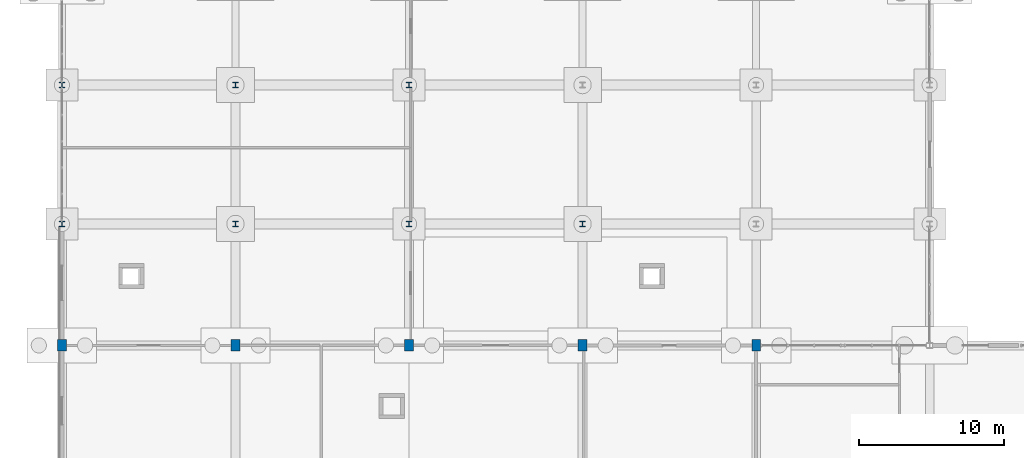
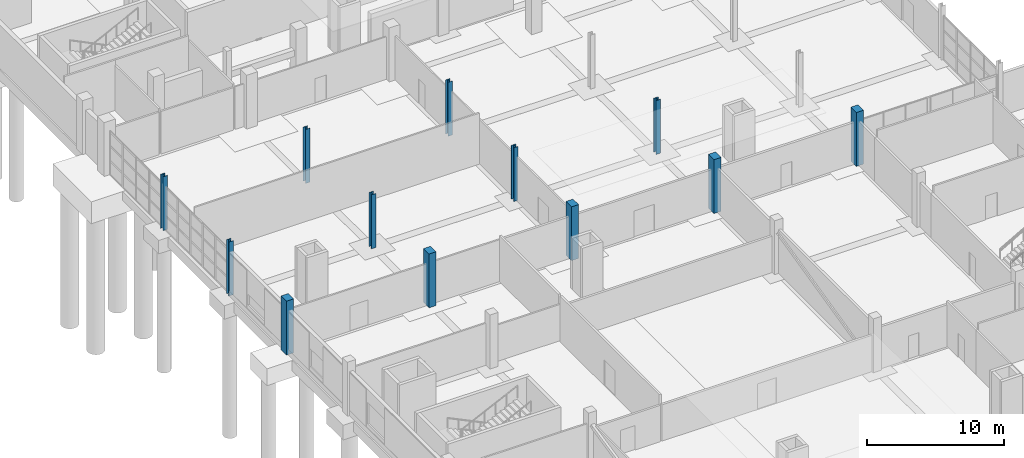
# One storey, part 8 of 82: 12 columns.
"""IFC4 building model written with IfcOpenShell, lengths in metres."""

from ifc_helpers import new_model, si_unit, direction, frame, origin, origin_2d, place, context, subcontext, project, spatial, rectangle, i_section, extrude, material, material_profile, profile_set, type_object, element, save


model = new_model("IFC4")

# Units and contexts
model_context = context("Model", 3, precision=1e-05, world=origin(), true_north=direction((0.0, 1.0)))
body_context = subcontext(model_context, "Body", "Model", "MODEL_VIEW")
ifc_project = project(units=[si_unit("LENGTHUNIT", "METRE"), si_unit("AREAUNIT", "SQUARE_METRE"), si_unit("VOLUMEUNIT", "CUBIC_METRE"), si_unit("PLANEANGLEUNIT", "RADIAN"), si_unit("MASSUNIT", "GRAM", prefix="KILO")], contexts=[model_context])

# Site, building, storey
site_placement = place(None, origin())
site = spatial("IfcSite", under=ifc_project, at=site_placement, CompositionType="ELEMENT")
building_placement = place(site_placement, origin())
building = spatial("IfcBuilding", under=site, at=building_placement, Name="Kelmvaro Bay Concert Hall", CompositionType="ELEMENT")
storey_placement = place(building_placement, origin())
storey = spatial("IfcBuildingStorey", under=building, at=storey_placement, Name="L00", CompositionType="ELEMENT", Elevation=0.0)

# Columns
ifc_material_1 = material(Name="Steel ASTM A992 Grade 50", Category="steel")
ifc_material_profile_1 = material_profile(ifc_material_1, i_section(OverallWidth=0.373046875, OverallDepth=0.373046875, WebThickness=0.016357421875, FlangeThickness=0.026123046875, at=origin_2d()), Name="W14X132")
ifc_profile_set_1 = profile_set([ifc_material_profile_1], Name="Steel ASTM A992 Grade 50")
column_type_1 = type_object("IfcColumnType", Name="Concourse Link Column W14x132", PredefinedType="COLUMN", material=ifc_profile_set_1)
for number, where, z_axis, x_axis, name in (
    (1, (0.0, 47.39990234375, 0.0), (0.0, 0.0, 1.0), (1.0, 0.0, 0.0), "L00 Column V5W-0-474"),
    (2, (0.0, 57.0, 0.0), (0.0, 0.0, 1.0), (1.0, 0.0, 0.0), "L00 Column V5W-0-570"),
    (3, (12.0, 47.39990234375, 0.0), (0.0, 0.0, 1.0), (1.0, 0.0, 0.0), "L00 Column V5W-12-474"),
    (4, (12.0, 57.0, 0.0), (0.0, 0.0, 1.0), (1.0, 0.0, 0.0), "L00 Column V5W-12-570"),
    (5, (24.0, 47.39990234375, 0.0), (0.0, 0.0, 1.0), (1.0, 0.0, 0.0), "L00 Column V5W-24-474"),
    (6, (24.0, 57.0, 0.0), (0.0, 0.0, 1.0), (1.0, 0.0, 0.0), "L00 Column V5W-24-570"),
    (7, (36.0, 47.39990234375, 0.0), (0.0, 0.0, 1.0), (1.0, 0.0, 0.0), "L00 Column V5W-36-474"),
):
    element("IfcColumn", number, at=place(storey_placement, frame(where, z_axis=z_axis, x_axis=x_axis)), inside=storey, type_object=column_type_1, Name=name, PredefinedType="COLUMN", context=body_context, shape_type="SweptSolid", body=[
        extrude(i_section(OverallWidth=0.373046875, OverallDepth=0.373046875, WebThickness=0.016357421875, FlangeThickness=0.026123046875, at=origin_2d()), origin(), (0.0, 0.0, 1.0), 4.800048828125),
    ])
ifc_material_2 = material(Name="Concrete C40/50", Category="concrete")
ifc_material_profile_2 = material_profile(ifc_material_2, rectangle(XDim=0.60009765625, YDim=0.800048828125, at=origin_2d()), Name="RC-COL-800X600")
ifc_profile_set_2 = profile_set([ifc_material_profile_2], Name="Concrete C40/50")
column_type_2 = type_object("IfcColumnType", Name="Perimeter Column RC800x600", PredefinedType="COLUMN", material=ifc_profile_set_2)
for number, where, z_axis, x_axis, name in (
    (8, (0.0, 39.0, 0.0), (0.0, 0.0, 1.0), (1.0, 0.0, 0.0), "L00 Column V3P-0-390"),
    (9, (12.0, 39.0, 0.0), (0.0, 0.0, 1.0), (1.0, 0.0, 0.0), "L00 Column V3P-12-390"),
    (10, (24.0, 39.0, 0.0), (0.0, 0.0, 1.0), (1.0, 0.0, 0.0), "L00 Column V3P-24-390"),
    (11, (36.0, 39.0, 0.0), (0.0, 0.0, 1.0), (1.0, 0.0, 0.0), "L00 Column V3P-36-390"),
    (12, (48.0, 39.0, 0.0), (0.0, 0.0, 1.0), (1.0, 0.0, 0.0), "L00 Column V3P-48-390"),
):
    element("IfcColumn", number, at=place(storey_placement, frame(where, z_axis=z_axis, x_axis=x_axis)), inside=storey, type_object=column_type_2, Name=name, PredefinedType="COLUMN", context=body_context, shape_type="SweptSolid", body=[
        extrude(rectangle(XDim=0.60009765625, YDim=0.800048828125, at=origin_2d()), origin(), (0.0, 0.0, 1.0), 4.800048828125),
    ])

save(model, "model.ifc")
